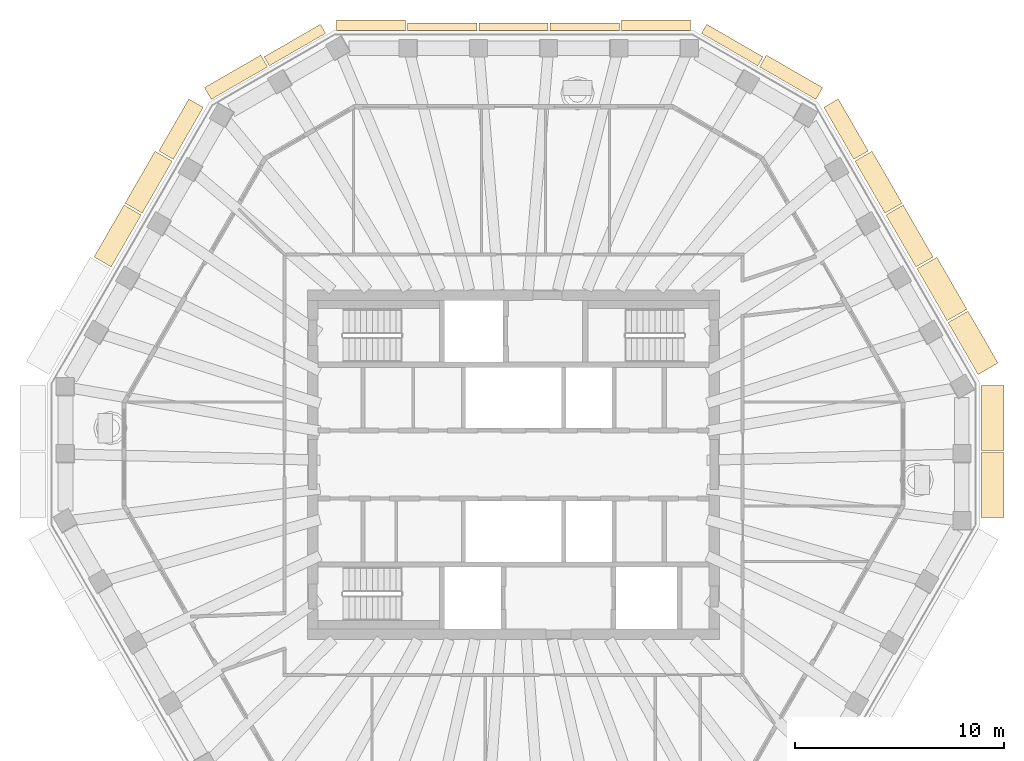
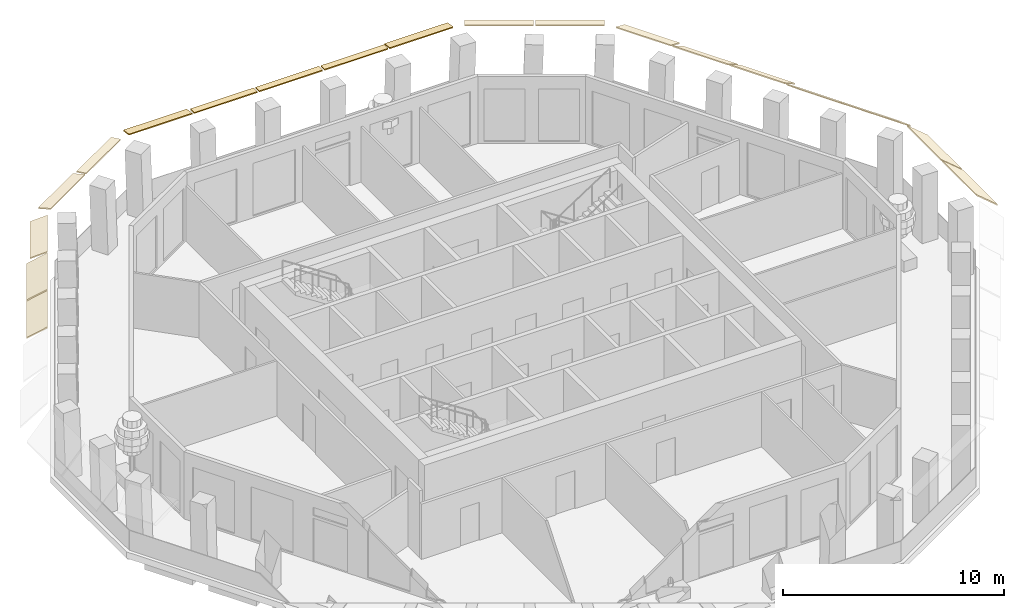
# One storey, part 9 of 11: 19 coverings.
"""IFC4 building model written with IfcOpenShell, lengths in metres."""

from ifc_helpers import new_model, si_unit, direction, frame, origin, place, context, subcontext, project, spatial, polyline, outline, extrude, material, layer, layer_set, type_object, element, save


model = new_model("IFC4")

# Units and contexts
model_context = context("Model", 3, precision=1e-05, world=origin(), true_north=direction((0.0, 1.0)))
body_context = subcontext(model_context, "Body", "Model", "MODEL_VIEW")
ifc_project = project(units=[si_unit("LENGTHUNIT", "METRE"), si_unit("AREAUNIT", "SQUARE_METRE"), si_unit("VOLUMEUNIT", "CUBIC_METRE"), si_unit("PLANEANGLEUNIT", "RADIAN"), si_unit("MASSUNIT", "GRAM", prefix="KILO")], contexts=[model_context])

# Site, building, storey
site_placement = place(None, origin())
site = spatial("IfcSite", under=ifc_project, at=site_placement, CompositionType="ELEMENT")
building_placement = place(site_placement, origin())
building = spatial("IfcBuilding", under=site, at=building_placement, Name="Frailejon Research Tower", CompositionType="ELEMENT")
storey_placement = place(building_placement, frame((0.0, 0.0, 324.60009765625)))
storey = spatial("IfcBuildingStorey", under=building, at=storey_placement, Name="L72", CompositionType="ELEMENT", Elevation=324.60009765625)

# Coverings
ifc_material_1 = material(Name="Precast concrete C50/60", Category="concrete")
ifc_layer_1 = layer(ifc_material_1, 0.06005859375)
ifc_layer_set_1 = layer_set([ifc_layer_1], Name="Brim blade depth 1100")
covering_type_1 = type_object("IfcCoveringType", Name="Brim blade depth 1100", PredefinedType="CLADDING", material=ifc_layer_set_1)
covering_1_placement = place(storey_placement, frame((22.34033203125, 0.57861328125, 3.849853515625), z_axis=(0.0, -1.0, 0.0), x_axis=(1.0, 0.0, 0.0)))
element("IfcCovering", 1, at=covering_1_placement, inside=storey, type_object=covering_type_1, Name="Brim blade L72", PredefinedType="CLADDING", context=body_context, shape_type="SweptSolid", body=[
    extrude(outline(polyline([(0.0, -0.078369140625), (1.10009765625, -1.001220703125), (1.10009765625, -0.923095703125), (0.0, 0.0), (0.0, -0.078369140625)])), origin(), (0.0, 0.0, 1.0), 3.10595703125),
])
covering_2_placement = place(storey_placement, frame((22.34033203125, 3.78466796875, 3.849853515625), z_axis=(0.0, -1.0, 0.0), x_axis=(1.0, 0.0, 0.0)))
element("IfcCovering", 2, at=covering_2_placement, inside=storey, type_object=covering_type_1, Name="Brim blade L72", PredefinedType="CLADDING", context=body_context, shape_type="SweptSolid", body=[
    extrude(outline(polyline([(0.0, -0.078369140625), (1.10009765625, -1.001220703125), (1.10009765625, -0.923095703125), (0.0, 0.0), (0.0, -0.078369140625)])), origin(), (0.0, 0.0, 1.0), 3.106201171875),
])
covering_3_placement = place(storey_placement, frame((20.7666015625, 6.7880859375, 3.849853515625), z_axis=(0.500003243186, -0.866023531322, 0.0), x_axis=(0.866023531322, 0.500003243186, 0.0)))
element("IfcCovering", 3, at=covering_3_placement, inside=storey, type_object=covering_type_1, Name="Brim blade L72", PredefinedType="CLADDING", context=body_context, shape_type="SweptSolid", body=[
    extrude(outline(polyline([(0.0, -0.078369140625), (1.10009765625, -1.001220703125), (1.10009765625, -0.923095703125), (0.0, 0.0), (0.0, -0.078369140625)])), origin(), (0.0, 0.0, 1.0), 2.869873046875),
])
covering_4_placement = place(storey_placement, frame((19.28173828125, 9.360107421875, 3.849853515625), z_axis=(0.499992569014, -0.866029694024, 0.0), x_axis=(0.866029694024, 0.499992569014, 0.0)))
element("IfcCovering", 4, at=covering_4_placement, inside=storey, type_object=covering_type_1, Name="Brim blade L72", PredefinedType="CLADDING", context=body_context, shape_type="SweptSolid", body=[
    extrude(outline(polyline([(0.0, -0.078369140625), (1.10009765625, -1.001220703125), (1.10009765625, -0.923095703125), (0.0, 0.0), (0.0, -0.078369140625)])), origin(), (0.0, 0.0, 1.0), 2.86962890625),
])
ifc_material_2 = material(Name="Precast concrete C50/60", Category="concrete")
ifc_layer_2 = layer(ifc_material_2, 0.06005859375)
ifc_layer_set_2 = layer_set([ifc_layer_2], Name="Brim blade depth 350")
covering_type_2 = type_object("IfcCoveringType", Name="Brim blade depth 350", PredefinedType="CLADDING", material=ifc_layer_set_2)
for number, where, z_axis, x_axis, name in (
    (5, (1.752685546875, 20.75, 3.849853515625), (1.0, 0.0, 0.0), (0.0, 1.0, 0.0), "Brim blade L72"),
    (6, (-1.652587890625, 20.75, 3.849853515625), (1.0, 0.0, 0.0), (0.0, 1.0, 0.0), "Brim blade L72"),
    (7, (-5.057861328125, 20.75, 3.849853515625), (1.0, 0.0, 0.0), (0.0, 1.0, 0.0), "Brim blade L72"),
):
    element("IfcCovering", number, at=place(storey_placement, frame(where, z_axis=z_axis, x_axis=x_axis)), inside=storey, type_object=covering_type_2, Name=name, PredefinedType="CLADDING", context=body_context, shape_type="SweptSolid", body=[
        extrude(outline(polyline([(0.0, -0.06005859375), (0.35009765625, -0.06005859375), (0.35009765625, 0.0), (0.0, 0.0), (0.0, -0.06005859375)])), origin(), (0.0, 0.0, 1.0), 3.30517578125),
    ])
ifc_material_3 = material(Name="Precast concrete C50/60", Category="concrete")
ifc_layer_3 = layer(ifc_material_3, 0.06005859375)
ifc_layer_set_3 = layer_set([ifc_layer_3], Name="Brim blade depth 500")
covering_type_3 = type_object("IfcCoveringType", Name="Brim blade depth 500", PredefinedType="CLADDING", material=ifc_layer_set_3)
covering_5_placement = place(storey_placement, frame((8.981201171875, 20.611083984375, 3.849853515625), z_axis=(0.86602716254, -0.499996953734, 0.0), x_axis=(0.499996953734, 0.86602716254, 0.0)))
element("IfcCovering", 8, at=covering_5_placement, inside=storey, type_object=covering_type_3, Name="Brim blade L72", PredefinedType="CLADDING", context=body_context, shape_type="SweptSolid", body=[
    extrude(outline(polyline([(0.0, -0.060546875), (0.5, -0.130859375), (0.5, -0.0703125), (0.0, 0.0), (0.0, -0.060546875)])), origin(), (0.0, 0.0, 1.0), 3.10595703125),
])
for number, where, z_axis, x_axis, name in (
    (9, (5.15771484375, 20.75, 3.849853515625), (1.0, 0.0, 0.0), (0.0, 1.0, 0.0), "Brim blade L72"),
    (10, (-8.462890625, 20.75, 3.849853515625), (1.0, 0.0, 0.0), (0.0, 1.0, 0.0), "Brim blade L72"),
):
    element("IfcCovering", number, at=place(storey_placement, frame(where, z_axis=z_axis, x_axis=x_axis)), inside=storey, type_object=covering_type_3, Name=name, PredefinedType="CLADDING", context=body_context, shape_type="SweptSolid", body=[
        extrude(outline(polyline([(0.0, -0.060546875), (0.5, -0.130859375), (0.5, -0.0703125), (0.0, 0.0), (0.0, -0.060546875)])), origin(), (0.0, 0.0, 1.0), 3.30517578125),
    ])
covering_6_placement = place(storey_placement, frame((-11.671142578125, 19.05810546875, 3.849853515625), z_axis=(0.86602716254, 0.499996953734, 0.0), x_axis=(-0.499996953734, 0.86602716254, 0.0)))
element("IfcCovering", 11, at=covering_6_placement, inside=storey, type_object=covering_type_3, Name="Brim blade L72", PredefinedType="CLADDING", context=body_context, shape_type="SweptSolid", body=[
    extrude(outline(polyline([(0.0, -0.060546875), (0.5, -0.130859375), (0.5, -0.0703125), (0.0, 0.0), (0.0, -0.060546875)])), origin(), (0.0, 0.0, 1.0), 3.10595703125),
])
ifc_material_4 = material(Name="Precast concrete C50/60", Category="concrete")
ifc_layer_4 = layer(ifc_material_4, 0.06005859375)
ifc_layer_set_4 = layer_set([ifc_layer_4], Name="Brim blade depth 650")
covering_type_4 = type_object("IfcCoveringType", Name="Brim blade depth 650", PredefinedType="CLADDING", material=ifc_layer_set_4)
for number, where, z_axis, x_axis, name in (
    (12, (11.7578125, 19.008056640625, 3.849853515625), (0.866021454071, -0.500006841041, 0.0), (0.500006841041, 0.866021454071, 0.0), "Brim blade L72"),
    (13, (-14.44775390625, 17.455078125, 3.849853515625), (0.866021454071, 0.500006841041, 0.0), (-0.500006841041, 0.866021454071, 0.0), "Brim blade L72"),
):
    element("IfcCovering", number, at=place(storey_placement, frame(where, z_axis=z_axis, x_axis=x_axis)), inside=storey, type_object=covering_type_4, Name=name, PredefinedType="CLADDING", context=body_context, shape_type="SweptSolid", body=[
        extrude(outline(polyline([(0.0, -0.0625), (0.64990234375, -0.248779296875), (0.64990234375, -0.186279296875), (0.0, 0.0), (0.0, -0.0625)])), origin(), (0.0, 0.0, 1.0), 3.106201171875),
    ])
ifc_material_5 = material(Name="Precast concrete C50/60", Category="concrete")
ifc_layer_5 = layer(ifc_material_5, 0.06005859375)
ifc_layer_set_5 = layer_set([ifc_layer_5], Name="Brim blade depth 800")
covering_type_5 = type_object("IfcCoveringType", Name="Brim blade depth 800", PredefinedType="CLADDING", material=ifc_layer_set_5)
for number, where, z_axis, x_axis, name in (
    (14, (14.8271484375, 17.07568359375, 3.849853515625), (0.499992569014, -0.866029694024, 0.0), (0.866029694024, 0.499992569014, 0.0), "Brim blade L72"),
    (15, (-16.261962890625, 14.59033203125, 3.849853515625), (0.499992569014, 0.866029694024, 0.0), (-0.866029694024, 0.499992569014, 0.0), "Brim blade L72"),
):
    element("IfcCovering", number, at=place(storey_placement, frame(where, z_axis=z_axis, x_axis=x_axis)), inside=storey, type_object=covering_type_5, Name=name, PredefinedType="CLADDING", context=body_context, shape_type="SweptSolid", body=[
        extrude(outline(polyline([(0.0, -0.065673828125), (0.800048828125, -0.421875), (0.800048828125, -0.356201171875), (0.0, 0.0), (0.0, -0.065673828125)])), origin(), (0.0, 0.0, 1.0), 2.86962890625),
    ])
ifc_material_6 = material(Name="Precast concrete C50/60", Category="concrete")
ifc_layer_6 = layer(ifc_material_6, 0.06005859375)
ifc_layer_set_6 = layer_set([ifc_layer_6], Name="Brim blade depth 950")
covering_type_6 = type_object("IfcCoveringType", Name="Brim blade depth 950", PredefinedType="CLADDING", material=ifc_layer_set_6)
for number, where, z_axis, x_axis, name in (
    (16, (17.796875, 11.931884765625, 3.849853515625), (0.500003243186, -0.866023531322, 0.0), (0.866023531322, 0.500003243186, 0.0), "Brim blade L72"),
    (17, (16.31201171875, 14.50390625, 3.849853515625), (0.500003243186, -0.866023531322, 0.0), (0.866023531322, 0.500003243186, 0.0), "Brim blade L72"),
    (18, (-17.746826171875, 12.0185546875, 3.849853515625), (0.500003243186, 0.866023531322, 0.0), (-0.866023531322, 0.500003243186, 0.0), "Brim blade L72"),
    (19, (-19.231689453125, 9.446533203125, 3.849853515625), (0.500003243186, 0.866023531322, 0.0), (-0.866023531322, 0.500003243186, 0.0), "Brim blade L72"),
):
    element("IfcCovering", number, at=place(storey_placement, frame(where, z_axis=z_axis, x_axis=x_axis)), inside=storey, type_object=covering_type_6, Name=name, PredefinedType="CLADDING", context=body_context, shape_type="SweptSolid", body=[
        extrude(outline(polyline([(0.0, -0.07080078125), (0.949951171875, -0.664306640625), (0.949951171875, -0.593505859375), (0.0, 0.0), (0.0, -0.07080078125)])), origin(), (0.0, 0.0, 1.0), 2.869873046875),
    ])

save(model, "model.ifc")
